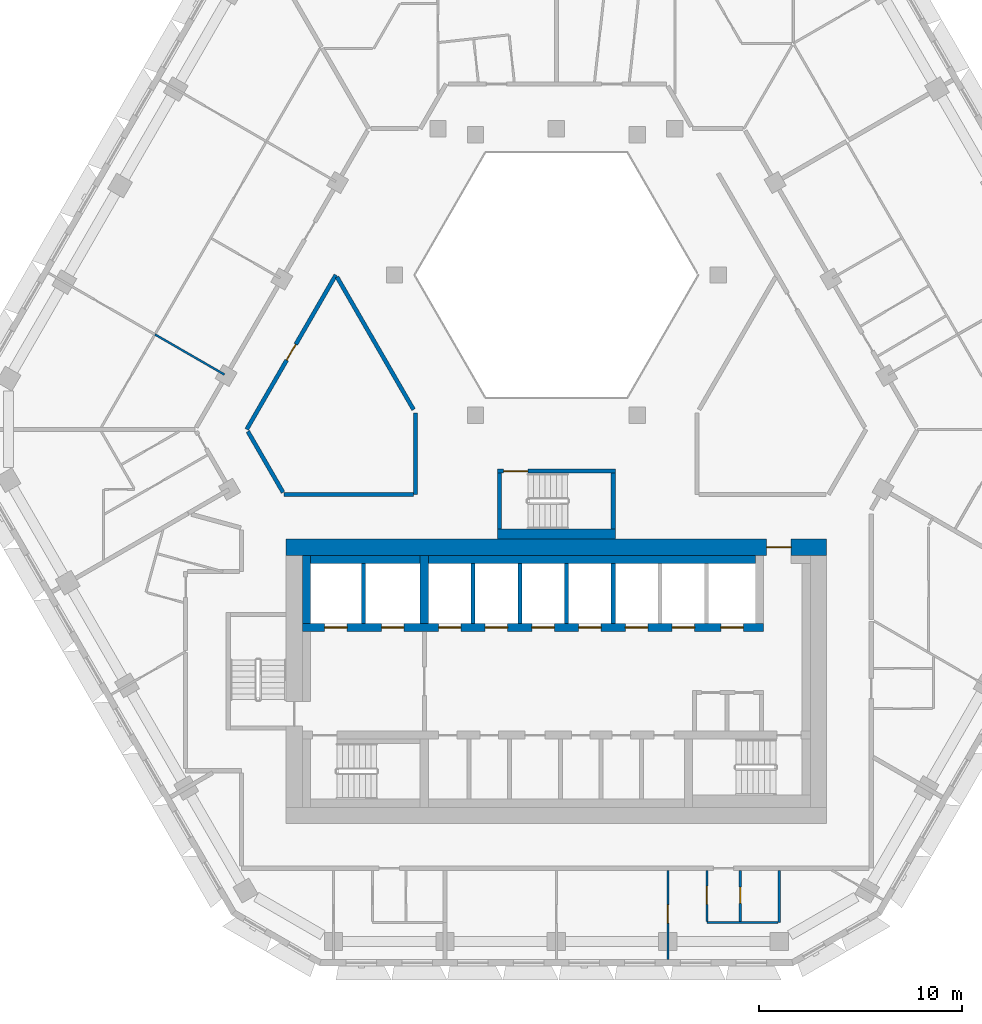
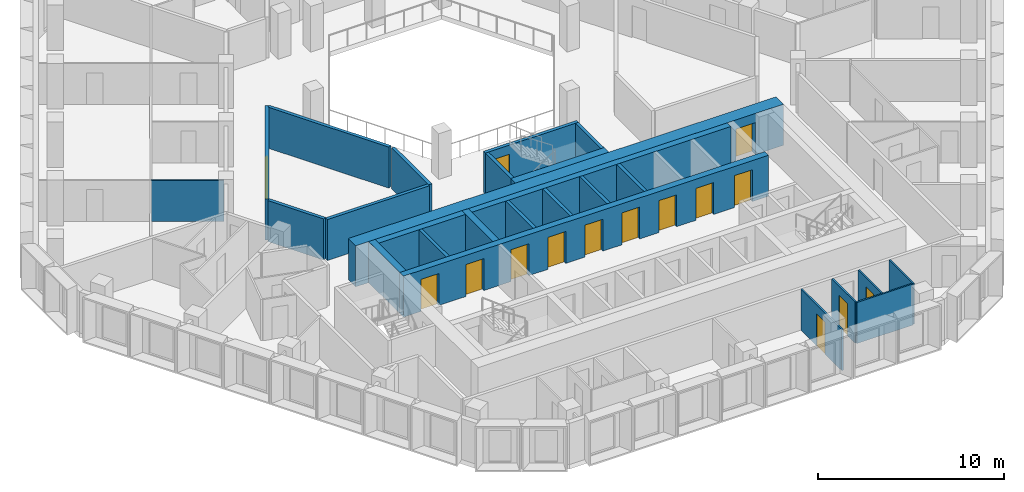
# One storey, part 5 of 18: 26 walls, 15 doors, 15 openings.
"""IFC4 building model written with IfcOpenShell, lengths in metres."""

from ifc_helpers import new_model, si_unit, direction, frame, frame_2d, origin, place, context, subcontext, project, spatial, rectangle, extrude, material, layer, layer_set, type_object, element, fill, save


model = new_model("IFC4")

# Units and contexts
model_context = context("Model", 3, precision=1e-05, world=origin(), true_north=direction((0.0, 1.0)))
body_context = subcontext(model_context, "Body", "Model", "MODEL_VIEW")
ifc_project = project(units=[si_unit("LENGTHUNIT", "METRE"), si_unit("AREAUNIT", "SQUARE_METRE"), si_unit("VOLUMEUNIT", "CUBIC_METRE"), si_unit("PLANEANGLEUNIT", "RADIAN"), si_unit("MASSUNIT", "GRAM", prefix="KILO")], contexts=[model_context])

# Site, building, storey
site_placement = place(None, origin())
site = spatial("IfcSite", under=ifc_project, at=site_placement, CompositionType="ELEMENT")
building_placement = place(site_placement, origin())
building = spatial("IfcBuilding", under=site, at=building_placement, Name="Beryl Residences", CompositionType="ELEMENT")
storey_placement = place(building_placement, frame((0.0, 0.0, 138.60009765625)))
storey = spatial("IfcBuildingStorey", under=building, at=storey_placement, Name="L42", CompositionType="ELEMENT", Elevation=138.60009765625)

# Wall, opening, door
ifc_material_1 = material(Name="Gypsum board partition on steel studs", Category="steel")
ifc_layer_1 = layer(ifc_material_1, 0.10009765625)
ifc_layer_set_1 = layer_set([ifc_layer_1], Name="PT1 partition 100 mm gypsum board on steel studs")
wall_type_1 = type_object("IfcWallType", Name="PT1 partition 100 mm gypsum board on steel studs", PredefinedType="PARTITIONING", material=ifc_layer_set_1)
wall_1_placement = place(storey_placement, frame((7.406005859375, -21.300048828125, 0.0), z_axis=(0.0, 0.0, 1.0), x_axis=(0.0, -1.0, 0.0)))
wall_1 = element("IfcWall", 1, at=wall_1_placement, inside=storey, type_object=wall_type_1, Name="Wall PT1 L42 009", PredefinedType="PARTITIONING", context=body_context, shape_type="SweptSolid", body=[
    extrude(rectangle(XDim=2.509033203125, YDim=0.10009765625, at=frame_2d((1.25439453125, 0.0))), origin(), (0.0, 0.0, 1.0), 2.699951171875),
])
opening_1_placement = place(wall_1_placement, frame((0.780029296875, 0.0, 0.0)))
opening_1 = element("IfcOpeningElement", 2, at=opening_1_placement, cuts=wall_1, Name="Opening D1110", PredefinedType="OPENING", context=body_context, shape_type="SweptSolid", body=[
    extrude(rectangle(XDim=0.89990234375, YDim=2.10009765625, at=frame_2d((0.449951171875, 1.050048828125))), frame((0.0, 0.06005859375, 0.0), z_axis=(0.0, -1.0, 0.0), x_axis=(1.0, 0.0, 0.0)), (0.0, 0.0, 1.0), 0.1201171875),
])
ifc_material_2 = material(Name="Timber door leaf", Category="wood")
door_type_1 = type_object("IfcDoorType", Name="D2 room door 900 x 2100 mm", OperationType="SINGLE_SWING_LEFT", PredefinedType="DOOR", material=ifc_material_2)
door_1_placement = place(opening_1_placement, origin())
door_1 = element("IfcDoor", 3, at=door_1_placement, inside=storey, type_object=door_type_1, Name="Door D1110 L42 001", OperationType="SINGLE_SWING_RIGHT", OverallHeight=2.10009765625, OverallWidth=0.89990234375, PredefinedType="DOOR", context=body_context, shape_type="SweptSolid", body=[
    extrude(rectangle(XDim=0.89990234375, YDim=2.10009765625, at=frame_2d((0.449951171875, 1.050048828125))), frame((0.0, 0.02490234375, 0.0), z_axis=(0.0, -1.0, 0.0), x_axis=(1.0, 0.0, 0.0)), (0.0, 0.0, 1.0), 0.050048828125),
])
fill(opening_1, door_1)

# Wall
wall_2_placement = place(storey_placement, frame((7.406982421875, -23.860107421875, 0.0), z_axis=(0.0, 0.0, 1.0), x_axis=(1.0, 0.0, 0.0)))
element("IfcWall", 4, at=wall_2_placement, inside=storey, type_object=wall_type_1, Name="Wall PT1 L42 022", PredefinedType="PARTITIONING", context=body_context, shape_type="SweptSolid", body=[
    extrude(rectangle(XDim=3.512939453125, YDim=0.10009765625, at=frame_2d((1.75634765625, 0.0))), origin(), (0.0, 0.0, 1.0), 2.699951171875),
])

# Wall, opening, door
wall_3_placement = place(storey_placement, frame((5.486083984375, -25.699951171875, 0.0), z_axis=(0.0, 0.0, 1.0), x_axis=(0.0, 1.0, 0.0)))
wall_3 = element("IfcWall", 5, at=wall_3_placement, inside=storey, type_object=wall_type_1, Name="Wall PT1 L42 038", PredefinedType="PARTITIONING", context=body_context, shape_type="SweptSolid", body=[
    extrude(rectangle(XDim=4.39990234375, YDim=0.10009765625, at=frame_2d((2.199951171875, 0.0))), origin(), (0.0, 0.0, 1.0), 2.699951171875),
])
opening_2_placement = place(wall_3_placement, frame((1.800048828125, 0.0, 0.0)))
opening_2 = element("IfcOpeningElement", 6, at=opening_2_placement, cuts=wall_3, Name="Opening D1112", PredefinedType="OPENING", context=body_context, shape_type="SweptSolid", body=[
    extrude(rectangle(XDim=0.89990234375, YDim=2.10009765625, at=frame_2d((0.449951171875, 1.050048828125))), frame((0.0, 0.06005859375, 0.0), z_axis=(0.0, -1.0, 0.0), x_axis=(1.0, 0.0, 0.0)), (0.0, 0.0, 1.0), 0.1201171875),
])
door_2_placement = place(opening_2_placement, origin())
door_2 = element("IfcDoor", 7, at=door_2_placement, inside=storey, type_object=door_type_1, Name="Door D1112 L42 001", OperationType="SINGLE_SWING_RIGHT", OverallHeight=2.10009765625, OverallWidth=0.89990234375, PredefinedType="DOOR", context=body_context, shape_type="SweptSolid", body=[
    extrude(rectangle(XDim=0.89990234375, YDim=2.10009765625, at=frame_2d((0.449951171875, 1.050048828125))), frame((0.0, 0.02490234375, 0.0), z_axis=(0.0, -1.0, 0.0), x_axis=(1.0, 0.0, 0.0)), (0.0, 0.0, 1.0), 0.050048828125),
])
fill(opening_2, door_2)

wall_4_placement = place(storey_placement, frame((9.051025390625, -23.81005859375, 0.0), z_axis=(0.0, 0.0, 1.0), x_axis=(0.0, 1.0, 0.0)))
wall_4 = element("IfcWall", 8, at=wall_4_placement, inside=storey, type_object=wall_type_1, Name="Wall PT1 L42 040", PredefinedType="PARTITIONING", context=body_context, shape_type="SweptSolid", body=[
    extrude(rectangle(XDim=2.510009765625, YDim=0.10009765625, at=frame_2d((1.2548828125, 0.0))), origin(), (0.0, 0.0, 1.0), 2.699951171875),
])
opening_3_placement = place(wall_4_placement, frame((0.8798828125, 0.0, 0.0)))
opening_3 = element("IfcOpeningElement", 9, at=opening_3_placement, cuts=wall_4, Name="Opening D1111", PredefinedType="OPENING", context=body_context, shape_type="SweptSolid", body=[
    extrude(rectangle(XDim=0.800048828125, YDim=2.10009765625, at=frame_2d((0.39990234375, 1.050048828125))), frame((0.0, 0.06005859375, 0.0), z_axis=(0.0, -1.0, 0.0), x_axis=(1.0, 0.0, 0.0)), (0.0, 0.0, 1.0), 0.1201171875),
])
ifc_material_3 = material(Name="Timber door leaf", Category="wood")
door_type_2 = type_object("IfcDoorType", Name="D3 bathroom door 800 x 2100 mm", OperationType="SINGLE_SWING_LEFT", PredefinedType="DOOR", material=ifc_material_3)
door_3_placement = place(opening_3_placement, origin())
door_3 = element("IfcDoor", 10, at=door_3_placement, inside=storey, type_object=door_type_2, Name="Door D1111 L42 001", OperationType="SINGLE_SWING_LEFT", OverallHeight=2.10009765625, OverallWidth=0.800048828125, PredefinedType="DOOR", context=body_context, shape_type="SweptSolid", body=[
    extrude(rectangle(XDim=0.800048828125, YDim=2.10009765625, at=frame_2d((0.39990234375, 1.050048828125))), frame((0.0, 0.02490234375, 0.0), z_axis=(0.0, -1.0, 0.0), x_axis=(1.0, 0.0, 0.0)), (0.0, 0.0, 1.0), 0.050048828125),
])
fill(opening_3, door_3)

# Walls
wall_5_placement = place(storey_placement, frame((10.970947265625, -23.85888671875, 0.0), z_axis=(0.0, 0.0, 1.0), x_axis=(0.0, 1.0, 0.0)))
element("IfcWall", 11, at=wall_5_placement, inside=storey, type_object=wall_type_1, Name="Wall PT1 L42 041", PredefinedType="PARTITIONING", context=body_context, shape_type="SweptSolid", body=[
    extrude(rectangle(XDim=2.558837890625, YDim=0.10009765625, at=frame_2d((1.279296875, 0.0))), origin(), (0.0, 0.0, 1.0), 2.699951171875),
])
wall_6_placement = place(storey_placement, frame((-19.757080078125, 5.072998046875, 0.0), z_axis=(0.0, 0.0, 1.0), x_axis=(0.866076396086, -0.499911668341, 0.0)))
element("IfcWall", 12, at=wall_6_placement, inside=storey, type_object=wall_type_1, Name="Wall PT1 L42 060", PredefinedType="PARTITIONING", context=body_context, shape_type="SweptSolid", body=[
    extrude(rectangle(XDim=3.946533203125, YDim=0.10009765625, at=frame_2d((1.97314453125, 0.0))), origin(), (0.0, 0.0, 1.0), 2.699951171875),
])
ifc_material_4 = material(Name="Double stud gypsum board wall")
ifc_layer_2 = layer(ifc_material_4, 0.199951171875)
ifc_layer_set_2 = layer_set([ifc_layer_2], Name="PT4 corridor wall 200 mm double stud")
wall_type_2 = type_object("IfcWallType", Name="PT4 corridor wall 200 mm double stud", PredefinedType="PARTITIONING", material=ifc_layer_set_2)
wall_7_placement = place(storey_placement, frame((-10.7958984375, 7.89990234375, 0.0), z_axis=(0.0, 0.0, 1.0), x_axis=(0.499954271211, -0.866051803703, 0.0)))
element("IfcWall", 13, at=wall_7_placement, inside=storey, type_object=wall_type_2, Name="Wall PT4 L42 001", PredefinedType="PARTITIONING", context=body_context, shape_type="SweptSolid", body=[
    extrude(rectangle(XDim=7.536376953125, YDim=0.199951171875, at=frame_2d((3.76806640625, 0.0))), origin(), (0.0, 0.0, 1.0), 2.699951171875),
])
wall_8_placement = place(storey_placement, frame((-15.18408203125, 0.299072265625, 0.0), z_axis=(0.0, 0.0, 1.0), x_axis=(0.500149577091, -0.865939028186, 0.0)))
element("IfcWall", 14, at=wall_8_placement, inside=storey, type_object=wall_type_2, Name="Wall PT4 L42 002", PredefinedType="PARTITIONING", context=body_context, shape_type="SweptSolid", body=[
    extrude(rectangle(XDim=3.46337890625, YDim=0.199951171875, at=frame_2d((1.731689453125, 0.0))), origin(), (0.0, 0.0, 1.0), 2.699951171875),
])
wall_9_placement = place(storey_placement, frame((-13.39501953125, -2.800048828125, 0.0), z_axis=(0.0, 0.0, 1.0), x_axis=(1.0, 0.0, 0.0)))
element("IfcWall", 15, at=wall_9_placement, inside=storey, type_object=wall_type_2, Name="Wall PT4 L42 013", PredefinedType="PARTITIONING", context=body_context, shape_type="SweptSolid", body=[
    extrude(rectangle(XDim=6.366943359375, YDim=0.199951171875, at=frame_2d((3.18359375, 0.0))), origin(), (0.0, 0.0, 1.0), 2.699951171875),
])

# Wall, opening, door
wall_10_placement = place(storey_placement, frame((-15.241943359375, 0.39892578125, 0.0), z_axis=(0.0, 0.0, 1.0), x_axis=(0.499953615651, 0.866052182145, 0.0)))
wall_10 = element("IfcWall", 16, at=wall_10_placement, inside=storey, type_object=wall_type_2, Name="Wall PT4 L42 021", PredefinedType="PARTITIONING", context=body_context, shape_type="SweptSolid", body=[
    extrude(rectangle(XDim=8.776611328125, YDim=0.199951171875, at=frame_2d((4.38818359375, 0.0))), origin(), (0.0, 0.0, 1.0), 2.699951171875),
])
opening_4_placement = place(wall_10_placement, frame((3.93798828125, 0.0, 0.0)))
opening_4 = element("IfcOpeningElement", 17, at=opening_4_placement, cuts=wall_10, Name="Opening D1154", PredefinedType="OPENING", context=body_context, shape_type="SweptSolid", body=[
    extrude(rectangle(XDim=0.89990234375, YDim=2.10009765625, at=frame_2d((0.449951171875, 1.050048828125))), frame((0.0, 0.10986328125, 0.0), z_axis=(0.0, -1.0, 0.0), x_axis=(1.0, 0.0, 0.0)), (0.0, 0.0, 1.0), 0.219970703125),
])
door_4_placement = place(opening_4_placement, origin())
door_4 = element("IfcDoor", 18, at=door_4_placement, inside=storey, type_object=door_type_1, Name="Door D1154 L42 001", OperationType="SINGLE_SWING_RIGHT", OverallHeight=2.10009765625, OverallWidth=0.89990234375, PredefinedType="DOOR", context=body_context, shape_type="SweptSolid", body=[
    extrude(rectangle(XDim=0.89990234375, YDim=2.10009765625, at=frame_2d((0.449951171875, 1.050048828125))), frame((0.0, 0.02490234375, 0.0), z_axis=(0.0, -1.0, 0.0), x_axis=(1.0, 0.0, 0.0)), (0.0, 0.0, 1.0), 0.050048828125),
])
fill(opening_4, door_4)

# Wall
wall_11_placement = place(storey_placement, frame((-6.927978515625, -2.800048828125, 0.0), z_axis=(0.0, 0.0, 1.0), x_axis=(0.0, 1.0, 0.0)))
element("IfcWall", 19, at=wall_11_placement, inside=storey, type_object=wall_type_2, Name="Wall PT4 L42 026", PredefinedType="PARTITIONING", context=body_context, shape_type="SweptSolid", body=[
    extrude(rectangle(XDim=4.0, YDim=0.199951171875, at=frame_2d((2.0, 0.0))), origin(), (0.0, 0.0, 1.0), 2.699951171875),
])

# Wall, opening, door
ifc_material_5 = material(Name="Concrete C40/50", Category="concrete")
ifc_layer_3 = layer(ifc_material_5, 0.199951171875)
ifc_layer_set_3 = layer_set([ifc_layer_3], Name="PT5 stair enclosure wall 200 mm reinforced concrete C40/50")
wall_type_3 = type_object("IfcWallType", Name="PT5 stair enclosure wall 200 mm reinforced concrete C40/50", PredefinedType="SOLIDWALL", material=ifc_layer_set_3)
wall_12_placement = place(storey_placement, frame((-2.89990234375, -1.64990234375, 0.0), z_axis=(0.0, 0.0, 1.0), x_axis=(1.0, 0.0, 0.0)))
wall_12 = element("IfcWall", 20, at=wall_12_placement, inside=storey, type_object=wall_type_3, Name="Wall PT5 L42 001", PredefinedType="SOLIDWALL", context=body_context, shape_type="SweptSolid", body=[
    extrude(rectangle(XDim=5.7998046875, YDim=0.199951171875, at=frame_2d((2.89990234375, 0.0))), origin(), (0.0, 0.0, 1.0), 2.699951171875),
])
opening_5_placement = place(wall_12_placement, frame((0.300048828125, 0.0, 0.0)))
opening_5 = element("IfcOpeningElement", 21, at=opening_5_placement, cuts=wall_12, Name="Opening DS04", PredefinedType="OPENING", context=body_context, shape_type="SweptSolid", body=[
    extrude(rectangle(XDim=1.199951171875, YDim=2.10009765625, at=frame_2d((0.60009765625, 1.050048828125))), frame((0.0, 0.10986328125, 0.0), z_axis=(0.0, -1.0, 0.0), x_axis=(1.0, 0.0, 0.0)), (0.0, 0.0, 1.0), 0.219970703125),
])
ifc_material_6 = material(Name="Steel door leaf in steel frame", Category="steel")
door_type_3 = type_object("IfcDoorType", Name="D4 stair door 1200 x 2100 mm", OperationType="SINGLE_SWING_LEFT", PredefinedType="DOOR", material=ifc_material_6)
door_5_placement = place(opening_5_placement, origin())
door_5 = element("IfcDoor", 22, at=door_5_placement, inside=storey, type_object=door_type_3, Name="Door DS04 L42 001", OperationType="SINGLE_SWING_LEFT", OverallHeight=2.10009765625, OverallWidth=1.199951171875, PredefinedType="DOOR", context=body_context, shape_type="SweptSolid", body=[
    extrude(rectangle(XDim=1.199951171875, YDim=2.10009765625, at=frame_2d((0.60009765625, 1.050048828125))), frame((0.0, 0.02490234375, 0.0), z_axis=(0.0, -1.0, 0.0), x_axis=(1.0, 0.0, 0.0)), (0.0, 0.0, 1.0), 0.050048828125),
])
fill(opening_5, door_5)

# Walls
for number, where, z_axis, x_axis, name in (
    (23, (-2.800048828125, -4.5, 0.0), (0.0, 0.0, 1.0), (0.0, 1.0, 0.0), "Wall PT5 L42 002"),
    (24, (2.800048828125, -4.5, 0.0), (0.0, 0.0, 1.0), (0.0, 1.0, 0.0), "Wall PT5 L42 003"),
):
    element("IfcWall", number, at=place(storey_placement, frame(where, z_axis=z_axis, x_axis=x_axis)), inside=storey, type_object=wall_type_3, Name=name, PredefinedType="SOLIDWALL", context=body_context, shape_type="SweptSolid", body=[
        extrude(rectangle(XDim=2.75, YDim=0.199951171875, at=frame_2d((1.375, 0.0))), origin(), (0.0, 0.0, 1.0), 2.699951171875),
    ])
ifc_material_7 = material(Name="Concrete C40/50", Category="concrete")
ifc_layer_4 = layer(ifc_material_7, 0.5)
ifc_layer_set_4 = layer_set([ifc_layer_4], Name="PT5-500 stair enclosure wall 500 mm")
wall_type_4 = type_object("IfcWallType", Name="PT5-500 stair enclosure wall 500 mm", PredefinedType="SOLIDWALL", material=ifc_layer_set_4)
wall_13_placement = place(storey_placement, frame((-2.89990234375, -4.75, 0.0), z_axis=(0.0, 0.0, 1.0), x_axis=(1.0, 0.0, 0.0)))
element("IfcWall", 25, at=wall_13_placement, inside=storey, type_object=wall_type_4, Name="Wall PT5-500 L42 001", PredefinedType="SOLIDWALL", context=body_context, shape_type="SweptSolid", body=[
    extrude(rectangle(XDim=5.7998046875, YDim=0.5, at=frame_2d((2.89990234375, 0.0))), origin(), (0.0, 0.0, 1.0), 2.699951171875),
])
ifc_material_8 = material(Name="Concrete C40/50", Category="concrete")
ifc_layer_5 = layer(ifc_material_8, 0.199951171875)
ifc_layer_set_5 = layer_set([ifc_layer_5], Name="PT6 lift shaft wall 200 mm reinforced concrete C40/50")
wall_type_5 = type_object("IfcWallType", Name="PT6 lift shaft wall 200 mm reinforced concrete C40/50", PredefinedType="SOLIDWALL", material=ifc_layer_set_5)
for number, where, z_axis, x_axis, name in (
    (26, (-9.5, -9.14990234375, 0.0), (0.0, 0.0, 1.0), (0.0, 1.0, 0.0), "Lift shaft wall 10"),
    (27, (-4.10009765625, -9.14990234375, 0.0), (0.0, 0.0, 1.0), (0.0, 1.0, 0.0), "Lift shaft wall 15"),
    (28, (-1.800048828125, -9.14990234375, 0.0), (0.0, 0.0, 1.0), (0.0, 1.0, 0.0), "Lift shaft wall 17"),
    (29, (0.5, -9.14990234375, 0.0), (0.0, 0.0, 1.0), (0.0, 1.0, 0.0), "Lift shaft wall 19"),
    (30, (2.800048828125, -9.14990234375, 0.0), (0.0, 0.0, 1.0), (0.0, 1.0, 0.0), "Lift shaft wall 21"),
):
    element("IfcWall", number, at=place(storey_placement, frame(where, z_axis=z_axis, x_axis=x_axis)), inside=storey, type_object=wall_type_5, Name=name, PredefinedType="SOLIDWALL", context=body_context, shape_type="SweptSolid", body=[
        extrude(rectangle(XDim=2.949951171875, YDim=0.199951171875, at=frame_2d((1.47509765625, 0.0))), origin(), (0.0, 0.0, 1.0), 2.699951171875),
    ])
ifc_material_9 = material(Name="Concrete C40/50", Category="concrete")
ifc_layer_6 = layer(ifc_material_9, 0.39990234375)
ifc_layer_set_6 = layer_set([ifc_layer_6], Name="PT6-400 lift shaft wall 400 mm")
wall_type_6 = type_object("IfcWallType", Name="PT6-400 lift shaft wall 400 mm", PredefinedType="SOLIDWALL", material=ifc_layer_set_6)
wall_14_placement = place(storey_placement, frame((-12.300048828125, -9.14990234375, 0.0), z_axis=(0.0, 0.0, 1.0), x_axis=(0.0, 1.0, 0.0)))
element("IfcWall", 31, at=wall_14_placement, inside=storey, type_object=wall_type_6, Name="Lift shaft wall 06", PredefinedType="SOLIDWALL", context=body_context, shape_type="SweptSolid", body=[
    extrude(rectangle(XDim=3.349853515625, YDim=0.39990234375, at=frame_2d((1.6748046875, 0.0))), origin(), (0.0, 0.0, 1.0), 2.699951171875),
])
wall_15_placement = place(storey_placement, frame((-12.10009765625, -6.0, 0.0), z_axis=(0.0, 0.0, 1.0), x_axis=(1.0, 0.0, 0.0)))
element("IfcWall", 32, at=wall_15_placement, inside=storey, type_object=wall_type_6, Name="Lift shaft wall 08", PredefinedType="SOLIDWALL", context=body_context, shape_type="SweptSolid", body=[
    extrude(rectangle(XDim=5.400146484375, YDim=0.39990234375, at=frame_2d((2.7001953125, 0.0))), origin(), (0.0, 0.0, 1.0), 2.699951171875),
])
wall_16_placement = place(storey_placement, frame((-6.300048828125, -6.0, 0.0), z_axis=(0.0, 0.0, 1.0), x_axis=(1.0, 0.0, 0.0)))
element("IfcWall", 33, at=wall_16_placement, inside=storey, type_object=wall_type_6, Name="Lift shaft wall 13", PredefinedType="SOLIDWALL", context=body_context, shape_type="SweptSolid", body=[
    extrude(rectangle(XDim=16.10009765625, YDim=0.39990234375, at=frame_2d((8.050048828125, 0.0))), origin(), (0.0, 0.0, 1.0), 2.699951171875),
])

# Wall, opening, door
ifc_material_10 = material(Name="Concrete C60/75", Category="concrete")
ifc_layer_7 = layer(ifc_material_10, 0.800048828125)
ifc_layer_set_7 = layer_set([ifc_layer_7], Name="SW3 core outer wall 800 mm C60/75")
wall_type_7 = type_object("IfcWallType", Name="SW3 core outer wall 800 mm C60/75", PredefinedType="SHEAR", material=ifc_layer_set_7)
wall_17_placement = place(storey_placement, frame((-13.300048828125, -5.39990234375, 0.0), z_axis=(0.0, 0.0, 1.0), x_axis=(1.0, 0.0, 0.0)))
wall_17 = element("IfcWall", 34, at=wall_17_placement, inside=storey, type_object=wall_type_7, Name="Core wall N L42", PredefinedType="SHEAR", context=body_context, shape_type="SweptSolid", body=[
    extrude(rectangle(XDim=26.60009765625, YDim=0.800048828125, at=frame_2d((13.300048828125, 0.0))), origin(), (0.0, 0.0, 1.0), 2.699951171875),
])
opening_6_placement = place(wall_17_placement, frame((23.64990234375, 0.0, 0.0)))
opening_6 = element("IfcOpeningElement", 35, at=opening_6_placement, cuts=wall_17, Name="Opening FD-NORTH", PredefinedType="OPENING", context=body_context, shape_type="SweptSolid", body=[
    extrude(rectangle(XDim=1.199951171875, YDim=2.10009765625, at=frame_2d((0.60009765625, 1.050048828125))), frame((0.0, 0.409912109375, 0.0), z_axis=(0.0, -1.0, 0.0), x_axis=(1.0, 0.0, 0.0)), (0.0, 0.0, 1.0), 0.820068359375),
])
ifc_material_11 = material(Name="Steel door leaf in steel frame", Category="steel")
door_type_4 = type_object("IfcDoorType", Name="D22 lobby door 1200 x 2100 mm", OperationType="DOUBLE_DOOR_SINGLE_SWING", PredefinedType="DOOR", material=ifc_material_11)
door_6_placement = place(opening_6_placement, origin())
door_6 = element("IfcDoor", 36, at=door_6_placement, inside=storey, type_object=door_type_4, Name="Door FD-NORTH L42 001", OperationType="DOUBLE_DOOR_SINGLE_SWING", OverallHeight=2.10009765625, OverallWidth=1.199951171875, PredefinedType="DOOR", context=body_context, shape_type="SweptSolid", body=[
    extrude(rectangle(XDim=1.199951171875, YDim=2.10009765625, at=frame_2d((0.60009765625, 1.050048828125))), frame((0.0, 0.02490234375, 0.0), z_axis=(0.0, -1.0, 0.0), x_axis=(1.0, 0.0, 0.0)), (0.0, 0.0, 1.0), 0.050048828125),
])
fill(opening_6, door_6)

# Wall, openings, doors
ifc_material_12 = material(Name="Concrete C60/75", Category="concrete")
ifc_layer_8 = layer(ifc_material_12, 0.39990234375)
ifc_layer_set_8 = layer_set([ifc_layer_8], Name="SW8 core internal wall 400 mm C60/75")
wall_type_8 = type_object("IfcWallType", Name="SW8 core internal wall 400 mm C60/75", PredefinedType="SHEAR", material=ifc_layer_set_8)
wall_18_placement = place(storey_placement, frame((-12.5, -9.35009765625, 0.0), z_axis=(0.0, 0.0, 1.0), x_axis=(1.0, 0.0, 0.0)))
wall_18 = element("IfcWall", 37, at=wall_18_placement, inside=storey, type_object=wall_type_8, Name="Core wall SP2 L42", PredefinedType="SHEAR", context=body_context, shape_type="SweptSolid", body=[
    extrude(rectangle(XDim=22.699951171875, YDim=0.39990234375, at=frame_2d((11.35009765625, 0.0))), origin(), (0.0, 0.0, 1.0), 2.699951171875),
])
opening_7_placement = place(wall_18_placement, frame((1.10009765625, 0.0, 0.0)))
opening_7 = element("IfcOpeningElement", 38, at=opening_7_placement, cuts=wall_18, Name="Opening LD-FF1", PredefinedType="OPENING", context=body_context, shape_type="SweptSolid", body=[
    extrude(rectangle(XDim=1.10009765625, YDim=2.10009765625, at=frame_2d((0.550048828125, 1.050048828125))), frame((0.0, 0.2099609375, 0.0), z_axis=(0.0, -1.0, 0.0), x_axis=(1.0, 0.0, 0.0)), (0.0, 0.0, 1.0), 0.419921875),
])
opening_8_placement = place(wall_18_placement, frame((3.89990234375, 0.0, 0.0)))
opening_8 = element("IfcOpeningElement", 39, at=opening_8_placement, cuts=wall_18, Name="Opening LD-FF2", PredefinedType="OPENING", context=body_context, shape_type="SweptSolid", body=[
    extrude(rectangle(XDim=1.10009765625, YDim=2.10009765625, at=frame_2d((0.550048828125, 1.050048828125))), frame((0.0, 0.2099609375, 0.0), z_axis=(0.0, -1.0, 0.0), x_axis=(1.0, 0.0, 0.0)), (0.0, 0.0, 1.0), 0.419921875),
])
opening_9_placement = place(wall_18_placement, frame((6.699951171875, 0.0, 0.0)))
opening_9 = element("IfcOpeningElement", 40, at=opening_9_placement, cuts=wall_18, Name="Opening LD-HR1", PredefinedType="OPENING", context=body_context, shape_type="SweptSolid", body=[
    extrude(rectangle(XDim=1.10009765625, YDim=2.10009765625, at=frame_2d((0.550048828125, 1.050048828125))), frame((0.0, 0.2099609375, 0.0), z_axis=(0.0, -1.0, 0.0), x_axis=(1.0, 0.0, 0.0)), (0.0, 0.0, 1.0), 0.419921875),
])
opening_10_placement = place(wall_18_placement, frame((9.0, 0.0, 0.0)))
opening_10 = element("IfcOpeningElement", 41, at=opening_10_placement, cuts=wall_18, Name="Opening LD-HR2", PredefinedType="OPENING", context=body_context, shape_type="SweptSolid", body=[
    extrude(rectangle(XDim=1.10009765625, YDim=2.10009765625, at=frame_2d((0.550048828125, 1.050048828125))), frame((0.0, 0.2099609375, 0.0), z_axis=(0.0, -1.0, 0.0), x_axis=(1.0, 0.0, 0.0)), (0.0, 0.0, 1.0), 0.419921875),
])
opening_11_placement = place(wall_18_placement, frame((11.300048828125, 0.0, 0.0)))
opening_11 = element("IfcOpeningElement", 42, at=opening_11_placement, cuts=wall_18, Name="Opening LD-HR3", PredefinedType="OPENING", context=body_context, shape_type="SweptSolid", body=[
    extrude(rectangle(XDim=1.10009765625, YDim=2.10009765625, at=frame_2d((0.550048828125, 1.050048828125))), frame((0.0, 0.2099609375, 0.0), z_axis=(0.0, -1.0, 0.0), x_axis=(1.0, 0.0, 0.0)), (0.0, 0.0, 1.0), 0.419921875),
])
opening_12_placement = place(wall_18_placement, frame((13.60009765625, 0.0, 0.0)))
opening_12 = element("IfcOpeningElement", 43, at=opening_12_placement, cuts=wall_18, Name="Opening LD-HR4", PredefinedType="OPENING", context=body_context, shape_type="SweptSolid", body=[
    extrude(rectangle(XDim=1.10009765625, YDim=2.10009765625, at=frame_2d((0.550048828125, 1.050048828125))), frame((0.0, 0.2099609375, 0.0), z_axis=(0.0, -1.0, 0.0), x_axis=(1.0, 0.0, 0.0)), (0.0, 0.0, 1.0), 0.419921875),
])
opening_13_placement = place(wall_18_placement, frame((15.89990234375, 0.0, 0.0)))
opening_13 = element("IfcOpeningElement", 44, at=opening_13_placement, cuts=wall_18, Name="Opening LD-HR5", PredefinedType="OPENING", context=body_context, shape_type="SweptSolid", body=[
    extrude(rectangle(XDim=1.10009765625, YDim=2.10009765625, at=frame_2d((0.550048828125, 1.050048828125))), frame((0.0, 0.2099609375, 0.0), z_axis=(0.0, -1.0, 0.0), x_axis=(1.0, 0.0, 0.0)), (0.0, 0.0, 1.0), 0.419921875),
])
opening_14_placement = place(wall_18_placement, frame((18.199951171875, 0.0, 0.0)))
opening_14 = element("IfcOpeningElement", 45, at=opening_14_placement, cuts=wall_18, Name="Opening LD-HR6", PredefinedType="OPENING", context=body_context, shape_type="SweptSolid", body=[
    extrude(rectangle(XDim=1.10009765625, YDim=2.10009765625, at=frame_2d((0.550048828125, 1.050048828125))), frame((0.0, 0.2099609375, 0.0), z_axis=(0.0, -1.0, 0.0), x_axis=(1.0, 0.0, 0.0)), (0.0, 0.0, 1.0), 0.419921875),
])
opening_15_placement = place(wall_18_placement, frame((20.60009765625, 0.0, 0.0)))
opening_15 = element("IfcOpeningElement", 46, at=opening_15_placement, cuts=wall_18, Name="Opening LD-SL1", PredefinedType="OPENING", context=body_context, shape_type="SweptSolid", body=[
    extrude(rectangle(XDim=1.10009765625, YDim=2.10009765625, at=frame_2d((0.550048828125, 1.050048828125))), frame((0.0, 0.2099609375, 0.0), z_axis=(0.0, -1.0, 0.0), x_axis=(1.0, 0.0, 0.0)), (0.0, 0.0, 1.0), 0.419921875),
])
ifc_material_13 = material(Name="Stainless steel sliding door", Category="steel")
door_type_5 = type_object("IfcDoorType", Name="LD1 lift landing door 1100 x 2100 mm", OperationType="DOUBLE_DOOR_SLIDING", PredefinedType="DOOR", material=ifc_material_13)
door_7_placement = place(opening_7_placement, origin())
door_7 = element("IfcDoor", 47, at=door_7_placement, inside=storey, type_object=door_type_5, Name="Lift landing door FF1", OperationType="DOUBLE_DOOR_SLIDING", OverallHeight=2.10009765625, OverallWidth=1.10009765625, PredefinedType="DOOR", context=body_context, shape_type="SweptSolid", body=[
    extrude(rectangle(XDim=1.10009765625, YDim=2.10009765625, at=frame_2d((0.550048828125, 1.050048828125))), frame((0.0, 0.02490234375, 0.0), z_axis=(0.0, -1.0, 0.0), x_axis=(1.0, 0.0, 0.0)), (0.0, 0.0, 1.0), 0.050048828125),
])
fill(opening_7, door_7)
door_8_placement = place(opening_8_placement, origin())
door_8 = element("IfcDoor", 48, at=door_8_placement, inside=storey, type_object=door_type_5, Name="Lift landing door FF2", OperationType="DOUBLE_DOOR_SLIDING", OverallHeight=2.10009765625, OverallWidth=1.10009765625, PredefinedType="DOOR", context=body_context, shape_type="SweptSolid", body=[
    extrude(rectangle(XDim=1.10009765625, YDim=2.10009765625, at=frame_2d((0.550048828125, 1.050048828125))), frame((0.0, 0.02490234375, 0.0), z_axis=(0.0, -1.0, 0.0), x_axis=(1.0, 0.0, 0.0)), (0.0, 0.0, 1.0), 0.050048828125),
])
fill(opening_8, door_8)
door_9_placement = place(opening_9_placement, origin())
door_9 = element("IfcDoor", 49, at=door_9_placement, inside=storey, type_object=door_type_5, Name="Lift landing door HR1", OperationType="DOUBLE_DOOR_SLIDING", OverallHeight=2.10009765625, OverallWidth=1.10009765625, PredefinedType="DOOR", context=body_context, shape_type="SweptSolid", body=[
    extrude(rectangle(XDim=1.10009765625, YDim=2.10009765625, at=frame_2d((0.550048828125, 1.050048828125))), frame((0.0, 0.02490234375, 0.0), z_axis=(0.0, -1.0, 0.0), x_axis=(1.0, 0.0, 0.0)), (0.0, 0.0, 1.0), 0.050048828125),
])
fill(opening_9, door_9)
door_10_placement = place(opening_10_placement, origin())
door_10 = element("IfcDoor", 50, at=door_10_placement, inside=storey, type_object=door_type_5, Name="Lift landing door HR2", OperationType="DOUBLE_DOOR_SLIDING", OverallHeight=2.10009765625, OverallWidth=1.10009765625, PredefinedType="DOOR", context=body_context, shape_type="SweptSolid", body=[
    extrude(rectangle(XDim=1.10009765625, YDim=2.10009765625, at=frame_2d((0.550048828125, 1.050048828125))), frame((0.0, 0.02490234375, 0.0), z_axis=(0.0, -1.0, 0.0), x_axis=(1.0, 0.0, 0.0)), (0.0, 0.0, 1.0), 0.050048828125),
])
fill(opening_10, door_10)
door_11_placement = place(opening_11_placement, origin())
door_11 = element("IfcDoor", 51, at=door_11_placement, inside=storey, type_object=door_type_5, Name="Lift landing door HR3", OperationType="DOUBLE_DOOR_SLIDING", OverallHeight=2.10009765625, OverallWidth=1.10009765625, PredefinedType="DOOR", context=body_context, shape_type="SweptSolid", body=[
    extrude(rectangle(XDim=1.10009765625, YDim=2.10009765625, at=frame_2d((0.550048828125, 1.050048828125))), frame((0.0, 0.02490234375, 0.0), z_axis=(0.0, -1.0, 0.0), x_axis=(1.0, 0.0, 0.0)), (0.0, 0.0, 1.0), 0.050048828125),
])
fill(opening_11, door_11)
door_12_placement = place(opening_12_placement, origin())
door_12 = element("IfcDoor", 52, at=door_12_placement, inside=storey, type_object=door_type_5, Name="Lift landing door HR4", OperationType="DOUBLE_DOOR_SLIDING", OverallHeight=2.10009765625, OverallWidth=1.10009765625, PredefinedType="DOOR", context=body_context, shape_type="SweptSolid", body=[
    extrude(rectangle(XDim=1.10009765625, YDim=2.10009765625, at=frame_2d((0.550048828125, 1.050048828125))), frame((0.0, 0.02490234375, 0.0), z_axis=(0.0, -1.0, 0.0), x_axis=(1.0, 0.0, 0.0)), (0.0, 0.0, 1.0), 0.050048828125),
])
fill(opening_12, door_12)
door_13_placement = place(opening_13_placement, origin())
door_13 = element("IfcDoor", 53, at=door_13_placement, inside=storey, type_object=door_type_5, Name="Lift landing door HR5", OperationType="DOUBLE_DOOR_SLIDING", OverallHeight=2.10009765625, OverallWidth=1.10009765625, PredefinedType="DOOR", context=body_context, shape_type="SweptSolid", body=[
    extrude(rectangle(XDim=1.10009765625, YDim=2.10009765625, at=frame_2d((0.550048828125, 1.050048828125))), frame((0.0, 0.02490234375, 0.0), z_axis=(0.0, -1.0, 0.0), x_axis=(1.0, 0.0, 0.0)), (0.0, 0.0, 1.0), 0.050048828125),
])
fill(opening_13, door_13)
door_14_placement = place(opening_14_placement, origin())
door_14 = element("IfcDoor", 54, at=door_14_placement, inside=storey, type_object=door_type_5, Name="Lift landing door HR6", OperationType="DOUBLE_DOOR_SLIDING", OverallHeight=2.10009765625, OverallWidth=1.10009765625, PredefinedType="DOOR", context=body_context, shape_type="SweptSolid", body=[
    extrude(rectangle(XDim=1.10009765625, YDim=2.10009765625, at=frame_2d((0.550048828125, 1.050048828125))), frame((0.0, 0.02490234375, 0.0), z_axis=(0.0, -1.0, 0.0), x_axis=(1.0, 0.0, 0.0)), (0.0, 0.0, 1.0), 0.050048828125),
])
fill(opening_14, door_14)
door_15_placement = place(opening_15_placement, origin())
door_15 = element("IfcDoor", 55, at=door_15_placement, inside=storey, type_object=door_type_5, Name="Lift landing door SL1", OperationType="DOUBLE_DOOR_SLIDING", OverallHeight=2.10009765625, OverallWidth=1.10009765625, PredefinedType="DOOR", context=body_context, shape_type="SweptSolid", body=[
    extrude(rectangle(XDim=1.10009765625, YDim=2.10009765625, at=frame_2d((0.550048828125, 1.050048828125))), frame((0.0, 0.02490234375, 0.0), z_axis=(0.0, -1.0, 0.0), x_axis=(1.0, 0.0, 0.0)), (0.0, 0.0, 1.0), 0.050048828125),
])
fill(opening_15, door_15)

# Wall
wall_19_placement = place(storey_placement, frame((-6.5, -9.14990234375, 0.0), z_axis=(0.0, 0.0, 1.0), x_axis=(0.0, 1.0, 0.0)))
element("IfcWall", 56, at=wall_19_placement, inside=storey, type_object=wall_type_8, Name="Core wall XN1 L42", PredefinedType="SHEAR", context=body_context, shape_type="SweptSolid", body=[
    extrude(rectangle(XDim=3.349853515625, YDim=0.39990234375, at=frame_2d((1.6748046875, 0.0))), origin(), (0.0, 0.0, 1.0), 2.699951171875),
])

save(model, "model.ifc")
